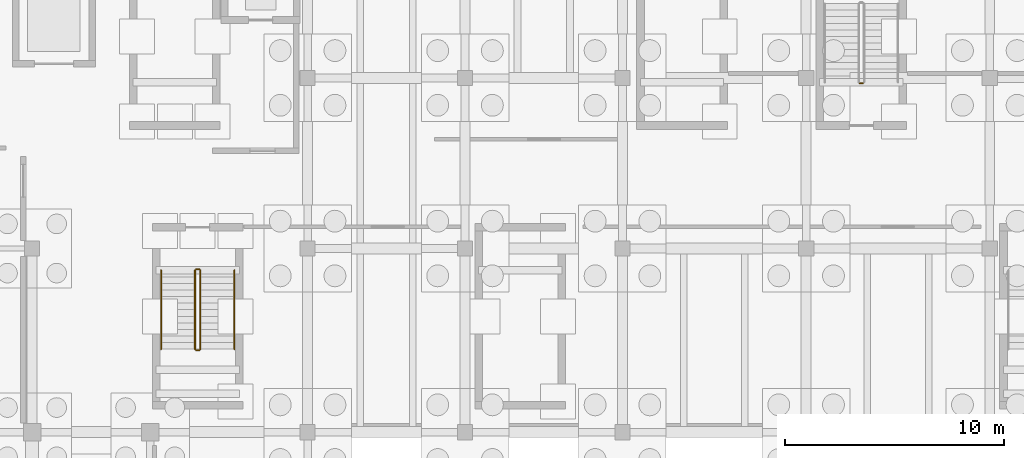
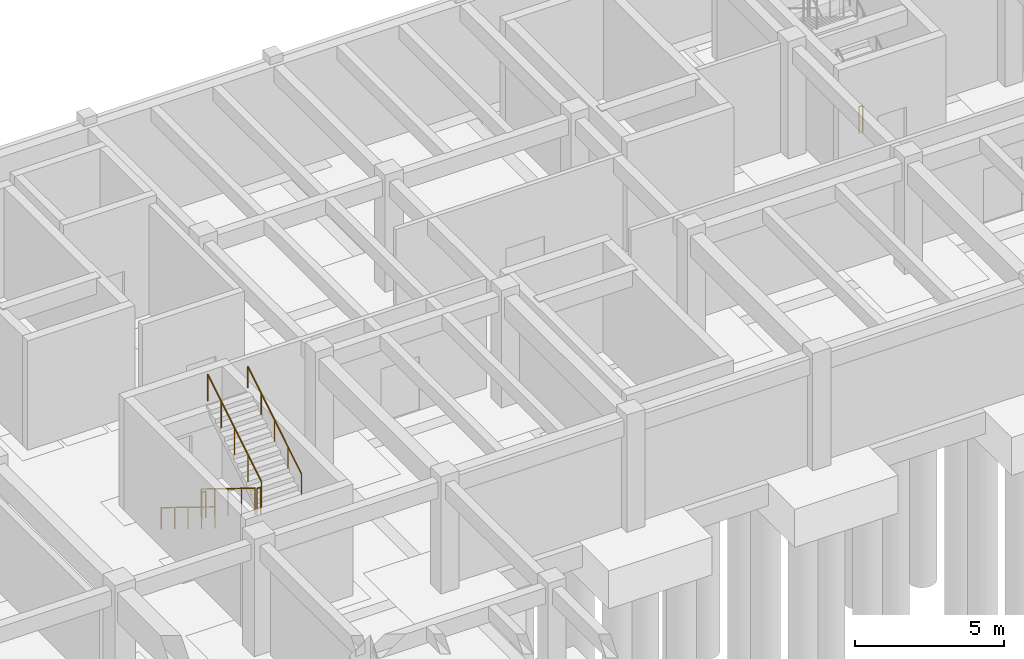
# One storey, part 42 of 46: 7 railings.
"""IFC4 building model written with IfcOpenShell, lengths in metres."""

from ifc_helpers import new_model, si_unit, direction, frame, origin, origin_2d, place, context, subcontext, project, spatial, circle, extrude, material, material_profile, profile_set, type_object, element, save


model = new_model("IFC4")

# Units and contexts
model_context = context("Model", 3, precision=1e-05, world=origin(), true_north=direction((0.0, 1.0)))
body_context = subcontext(model_context, "Body", "Model", "MODEL_VIEW")
ifc_project = project(units=[si_unit("LENGTHUNIT", "METRE"), si_unit("AREAUNIT", "SQUARE_METRE"), si_unit("VOLUMEUNIT", "CUBIC_METRE"), si_unit("PLANEANGLEUNIT", "RADIAN"), si_unit("MASSUNIT", "GRAM", prefix="KILO")], contexts=[model_context])

# Site, building, storey
site_placement = place(None, origin())
site = spatial("IfcSite", under=ifc_project, at=site_placement, CompositionType="ELEMENT")
building_placement = place(site_placement, origin())
building = spatial("IfcBuilding", under=site, at=building_placement, Name="Tazoul Stagehouse", CompositionType="ELEMENT")
storey_placement = place(building_placement, frame((0.0, 0.0, -4.800048828125)))
storey = spatial("IfcBuildingStorey", under=building, at=storey_placement, Name="B1", CompositionType="ELEMENT", Elevation=-4.800048828125)

# Railings
ifc_material = material(Name="Brushed Stainless Steel 316L", Category="steel")
ifc_material_profile_1 = material_profile(ifc_material, circle(Radius=0.02392578125, at=origin_2d()), Name="SS RAIL D48")
ifc_profile_set_1 = profile_set([ifc_material_profile_1], Name="Brushed Stainless Steel 316L")
railing_type_1 = type_object("IfcRailingType", Name="Architectural Guardrail H1120", PredefinedType="GUARDRAIL", material=ifc_profile_set_1)
railing_1_placement = place(storey_placement, frame((97.449951171875, 95.199951171875, 0.1845703125)))
element("IfcRailing", 1, at=railing_1_placement, inside=storey, type_object=railing_type_1, Name="B1 ST-B1 stair guard 1", PredefinedType="GUARDRAIL", context=body_context, shape_type="SweptSolid", body=[
    extrude(circle(Radius=0.02392578125, at=origin_2d()), frame((0.0, 0.0, 1.09619140625), z_axis=(0.0, -0.851628569182, 0.524145762315), x_axis=(1.0, 0.0, 0.0)), (0.0, 0.0, 1.0), 4.22705078125),
    extrude(circle(Radius=0.02099609375, at=origin_2d()), origin(), (0.0, 0.0, 1.0), 1.072021484375),
    extrude(circle(Radius=0.02099609375, at=origin_2d()), frame((0.0, -0.89990234375, 0.553955078125)), (0.0, 0.0, 1.0), 1.072021484375),
    extrude(circle(Radius=0.02099609375, at=origin_2d()), frame((0.0, -1.7998046875, 1.10791015625)), (0.0, 0.0, 1.0), 1.072021484375),
    extrude(circle(Radius=0.02099609375, at=origin_2d()), frame((0.0, -2.699951171875, 1.66162109375)), (0.0, 0.0, 1.0), 1.072021484375),
    extrude(circle(Radius=0.02099609375, at=origin_2d()), frame((0.0, -3.599853515625, 2.215576171875)), (0.0, 0.0, 1.0), 1.072021484375),
])
railing_2_placement = place(storey_placement, frame((97.5, 91.550048828125, 2.400146484375)))
element("IfcRailing", 2, at=railing_2_placement, inside=storey, type_object=railing_type_1, Name="B1 ST-B1 stair guard 2", PredefinedType="GUARDRAIL", context=body_context, shape_type="SweptSolid", body=[
    extrude(circle(Radius=0.02392578125, at=origin_2d()), frame((0.0, 0.0, 1.09619140625), z_axis=(1.0, 0.0, 0.0), x_axis=(0.0, 1.0, 0.0)), (0.0, 0.0, 1.0), 0.14990234375),
    extrude(circle(Radius=0.02099609375, at=origin_2d()), origin(), (0.0, 0.0, 1.0), 1.072021484375),
    extrude(circle(Radius=0.02099609375, at=origin_2d()), frame((0.14990234375, 0.0, 0.0)), (0.0, 0.0, 1.0), 1.072021484375),
])
railing_3_placement = place(storey_placement, frame((97.699951171875, 91.60009765625, 2.584716796875)))
element("IfcRailing", 3, at=railing_3_placement, inside=storey, type_object=railing_type_1, Name="B1 ST-B1 stair guard 3", PredefinedType="GUARDRAIL", context=body_context, shape_type="SweptSolid", body=[
    extrude(circle(Radius=0.02392578125, at=origin_2d()), frame((0.0, 0.0, 1.09619140625), z_axis=(0.0, 0.851654350407, 0.524103870844), x_axis=(-1.0, 0.0, 0.0)), (0.0, 0.0, 1.0), 4.226806640625),
    extrude(circle(Radius=0.02099609375, at=origin_2d()), origin(), (0.0, 0.0, 1.0), 1.072021484375),
    extrude(circle(Radius=0.02099609375, at=origin_2d()), frame((0.0, 0.89990234375, 0.5537109375)), (0.0, 0.0, 1.0), 1.072021484375),
    extrude(circle(Radius=0.02099609375, at=origin_2d()), frame((0.0, 1.7998046875, 1.107666015625)), (0.0, 0.0, 1.0), 1.072021484375),
    extrude(circle(Radius=0.02099609375, at=origin_2d()), frame((0.0, 2.699951171875, 1.66162109375)), (0.0, 0.0, 1.0), 1.072021484375),
    extrude(circle(Radius=0.02099609375, at=origin_2d()), frame((0.0, 3.599853515625, 2.21533203125)), (0.0, 0.0, 1.0), 1.072021484375),
])
railing_4_placement = place(storey_placement, frame((97.5, 95.25, 0.0)))
element("IfcRailing", 4, at=railing_4_placement, inside=storey, type_object=railing_type_1, Name="B1 ST-B1 stair guard 4", PredefinedType="GUARDRAIL", context=body_context, shape_type="SweptSolid", body=[
    extrude(circle(Radius=0.02392578125, at=origin_2d()), frame((0.0, 0.0, 1.09619140625), z_axis=(1.0, 0.0, 0.0), x_axis=(0.0, 1.0, 0.0)), (0.0, 0.0, 1.0), 0.14990234375),
    extrude(circle(Radius=0.02099609375, at=origin_2d()), origin(), (0.0, 0.0, 1.0), 1.072021484375),
    extrude(circle(Radius=0.02099609375, at=origin_2d()), frame((0.14990234375, 0.0, 0.0)), (0.0, 0.0, 1.0), 1.072021484375),
])
railing_5_placement = place(storey_placement, frame((128.0, 103.75, 0.0)))
element("IfcRailing", 5, at=railing_5_placement, inside=storey, type_object=railing_type_1, Name="B1 ST-B2 stair guard 4", PredefinedType="GUARDRAIL", context=body_context, shape_type="SweptSolid", body=[
    extrude(circle(Radius=0.02392578125, at=origin_2d()), frame((0.0, 0.0, 1.09619140625), z_axis=(-1.0, 0.0, 0.0), x_axis=(0.0, -1.0, 0.0)), (0.0, 0.0, 1.0), 0.14990234375),
    extrude(circle(Radius=0.02099609375, at=origin_2d()), origin(), (0.0, 0.0, 1.0), 1.072021484375),
    extrude(circle(Radius=0.02099609375, at=origin_2d()), frame((-0.14990234375, 0.0, 0.0)), (0.0, 0.0, 1.0), 1.072021484375),
])
ifc_material_profile_2 = material_profile(ifc_material, circle(Radius=0.02099609375, at=origin_2d()), Name="SS HANDRAIL D42")
ifc_profile_set_2 = profile_set([ifc_material_profile_2], Name="Brushed Stainless Steel 316L")
railing_type_2 = type_object("IfcRailingType", Name="Continuous Stair Handrail H900", PredefinedType="HANDRAIL", material=ifc_profile_set_2)
railing_6_placement = place(storey_placement, frame((95.89990234375, 95.199951171875, 0.1845703125)))
element("IfcRailing", 6, at=railing_6_placement, inside=storey, type_object=railing_type_2, Name="B1 ST-B1 stair handrail 1", PredefinedType="HANDRAIL", context=body_context, shape_type="SweptSolid", body=[
    extrude(circle(Radius=0.02392578125, at=origin_2d()), frame((0.0, 0.0, 0.8759765625), z_axis=(0.0, -0.851628569182, 0.524145762315), x_axis=(1.0, 0.0, 0.0)), (0.0, 0.0, 1.0), 4.22705078125),
    extrude(circle(Radius=0.02099609375, at=origin_2d()), origin(), (0.0, 0.0, 1.0), 0.851806640625),
    extrude(circle(Radius=0.02099609375, at=origin_2d()), frame((0.0, -0.89990234375, 0.553955078125)), (0.0, 0.0, 1.0), 0.851806640625),
    extrude(circle(Radius=0.02099609375, at=origin_2d()), frame((0.0, -1.7998046875, 1.10791015625)), (0.0, 0.0, 1.0), 0.851806640625),
    extrude(circle(Radius=0.02099609375, at=origin_2d()), frame((0.0, -2.699951171875, 1.66162109375)), (0.0, 0.0, 1.0), 0.851806640625),
    extrude(circle(Radius=0.02099609375, at=origin_2d()), frame((0.0, -3.599853515625, 2.215576171875)), (0.0, 0.0, 1.0), 0.851806640625),
])
railing_7_placement = place(storey_placement, frame((99.25, 91.60009765625, 2.584716796875)))
element("IfcRailing", 7, at=railing_7_placement, inside=storey, type_object=railing_type_2, Name="B1 ST-B1 stair handrail 2", PredefinedType="HANDRAIL", context=body_context, shape_type="SweptSolid", body=[
    extrude(circle(Radius=0.02392578125, at=origin_2d()), frame((0.0, 0.0, 0.8759765625), z_axis=(0.0, 0.851654350407, 0.524103870844), x_axis=(-1.0, 0.0, 0.0)), (0.0, 0.0, 1.0), 4.226806640625),
    extrude(circle(Radius=0.02099609375, at=origin_2d()), origin(), (0.0, 0.0, 1.0), 0.851806640625),
    extrude(circle(Radius=0.02099609375, at=origin_2d()), frame((0.0, 0.89990234375, 0.5537109375)), (0.0, 0.0, 1.0), 0.851806640625),
    extrude(circle(Radius=0.02099609375, at=origin_2d()), frame((0.0, 1.7998046875, 1.107666015625)), (0.0, 0.0, 1.0), 0.851806640625),
    extrude(circle(Radius=0.02099609375, at=origin_2d()), frame((0.0, 2.699951171875, 1.66162109375)), (0.0, 0.0, 1.0), 0.851806640625),
    extrude(circle(Radius=0.02099609375, at=origin_2d()), frame((0.0, 3.599853515625, 2.21533203125)), (0.0, 0.0, 1.0), 0.851806640625),
])

save(model, "model.ifc")
